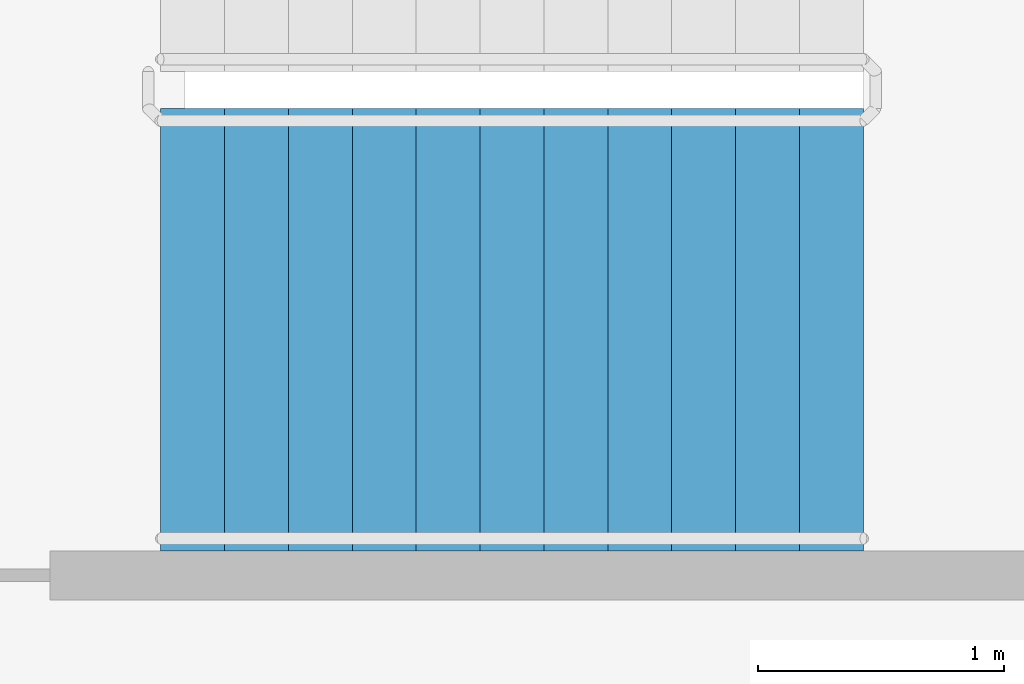
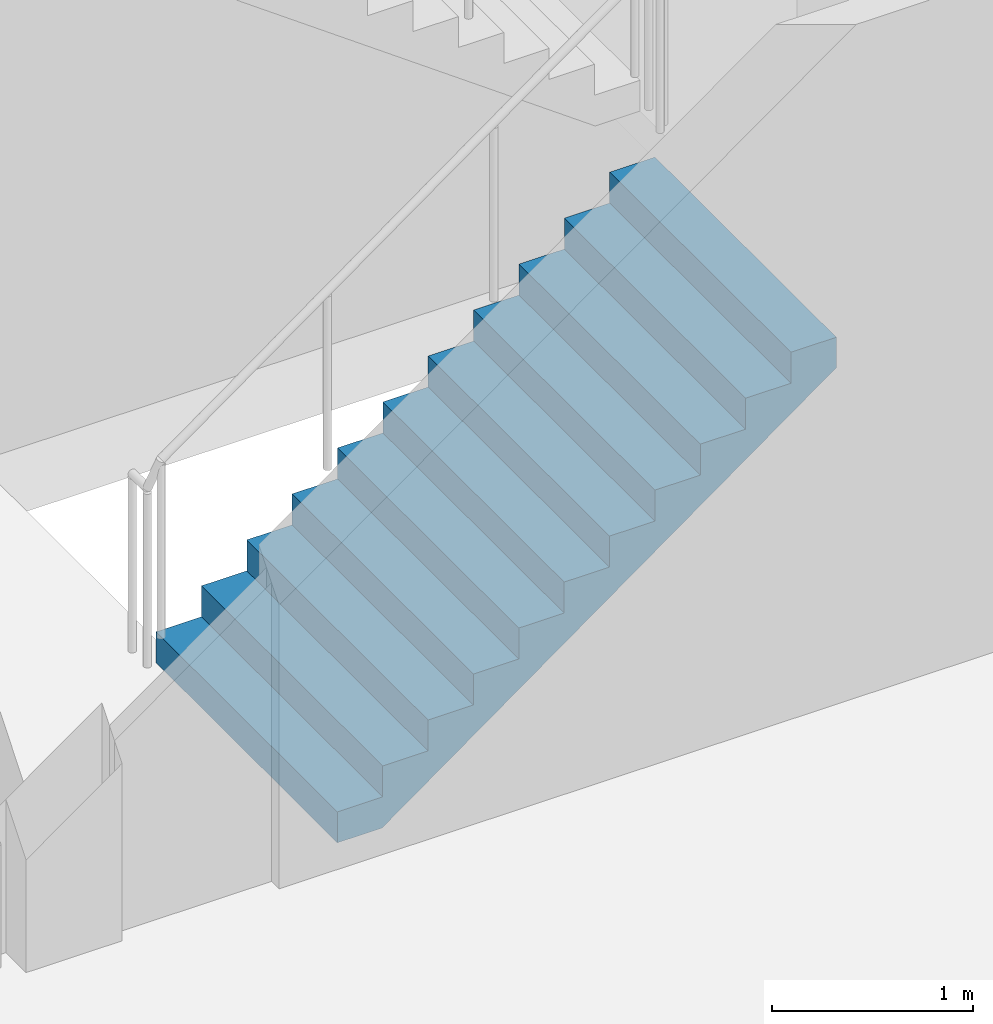
# One storey, part 26 of 49: 1 stair flight, 1 element without a shape of its own.
"""IFC4 building model written with IfcOpenShell, lengths in metres."""

import ifcopenshell
import ifcopenshell.guid

model = None  # the IFC model being written
_history = None  # IfcOwnerHistory: only IFC2X3 demands one
_inside = {}  # id of a spatial element -> (the spatial element, [elements in it])
_under = {}  # id of a project, library or spatial element -> (it, [spatial elements below it])
_declared = {}  # id of a project -> (the project, [libraries it declares])
_typed = {}  # id of a type object -> (the type object, [elements of that type])
_made_of = {}  # id of a material, layer set ... -> (it, [elements and type objects made of it])


def new_model(schema):
    """Start an empty IFC model of exactly this schema.

    Asked for "IFC4X3", IfcOpenShell would pick the latest addendum, in which some entities
    have other attributes; the version numbers below select the first issue.
    IFC2X3 requires an IfcOwnerHistory on every rooted entity: one is made here for all.
    """
    global model, _history
    if schema == "IFC4X3":
        model = ifcopenshell.file(schema_version=(4, 3, 0, 0))
    else:
        model = ifcopenshell.file(schema=schema)
    _inside.clear()
    _under.clear()
    _declared.clear()
    _typed.clear()
    _made_of.clear()
    _history = None
    if model.schema == "IFC2X3":
        org = make("IfcOrganization", Name="unknown")
        user = make(
            "IfcPersonAndOrganization",
            ThePerson=make("IfcPerson", FamilyName="unknown"),
            TheOrganization=org,
        )
        app = make(
            "IfcApplication",
            ApplicationDeveloper=org,
            Version="unknown",
            ApplicationFullName="unknown",
            ApplicationIdentifier="unknown",
        )
        _history = make(
            "IfcOwnerHistory",
            OwningUser=user,
            OwningApplication=app,
            ChangeAction="ADDED",
            CreationDate=0,
        )
    return model


def make(cls, **values):
    """One entity of the class cls with the attributes given. An attribute that is None is left unset."""
    return model.create_entity(
        cls, **{name: value for name, value in values.items() if value is not None}
    )


def rooted(cls, **values):
    """An entity with a GlobalId (a new one), such as an element, a storey or a relation."""
    return make(cls, GlobalId=ifcopenshell.guid.new(), OwnerHistory=_history, **values)


def si_unit(unit_type, name, prefix=None):
    """IfcSIUnit, for example si_unit("LENGTHUNIT", "METRE", prefix="MILLI")."""
    return make("IfcSIUnit", UnitType=unit_type, Prefix=prefix, Name=name)


def assignment(units):
    """IfcUnitAssignment: the units of a project."""
    return None if units is None else make("IfcUnitAssignment", Units=units)


def point(xyz):
    """IfcCartesianPoint."""
    return None if xyz is None else make("IfcCartesianPoint", Coordinates=xyz)


def direction(xyz):
    """IfcDirection."""
    return None if xyz is None else make("IfcDirection", DirectionRatios=xyz)


def frame(location, z_axis=None, x_axis=None):
    """IfcAxis2Placement3D, a coordinate frame: its origin and axes. An axis left out is left unset."""
    return make(
        "IfcAxis2Placement3D",
        Location=point(location),
        Axis=direction(z_axis),
        RefDirection=direction(x_axis),
    )


def origin():
    """The frame at (0, 0, 0) with its axes left unset."""
    return frame((0.0, 0.0, 0.0))


def place(relative_to, where):
    """IfcLocalPlacement: puts the frame where relative to a parent placement (None: the world)."""
    return make(
        "IfcLocalPlacement", PlacementRelTo=relative_to, RelativePlacement=where
    )


def context(
    kind, dimensions, precision=None, world=None, true_north=None, identifier=None
):
    """IfcGeometricRepresentationContext, for example the 3D "Model" context."""
    return make(
        "IfcGeometricRepresentationContext",
        ContextIdentifier=identifier,
        ContextType=kind,
        CoordinateSpaceDimension=dimensions,
        Precision=precision,
        WorldCoordinateSystem=world,
        TrueNorth=true_north,
    )


def subcontext(parent, identifier, kind, view, scale=None):
    """IfcGeometricRepresentationSubContext, for example "Body" below "Model"."""
    return make(
        "IfcGeometricRepresentationSubContext",
        ContextIdentifier=identifier,
        ContextType=kind,
        ParentContext=parent,
        TargetScale=scale,
        TargetView=view,
    )


def project(units=None, contexts=None):
    """IfcProject with its units and contexts."""
    return rooted(
        "IfcProject",
        Name="project",
        RepresentationContexts=contexts,
        UnitsInContext=assignment(units),
    )


def spatial(cls, under=None, at=None, **own):
    """A site, building, storey or space (cls), placed at a placement, below another one or the project."""
    s = rooted(cls, ObjectPlacement=at, **own)
    if under is not None:
        _under.setdefault(under.id(), (under, []))[1].append(s)
    return s


def faces_of(points, faces, orient=None, outer=None):
    """IfcFace entities. A face is a list of loops; a loop is a list of indices into points, from 0.

    orient and outer hold one flag for each loop. By default every Orientation is true, the
    first loop of a face is its IfcFaceOuterBound and the others are IfcFaceBound.
    """
    made = []
    for i, loops in enumerate(faces):
        bounds = []
        for j, loop in enumerate(loops):
            is_outer = j == 0 if outer is None else outer[i][j]
            bounds.append(
                make(
                    "IfcFaceOuterBound" if is_outer else "IfcFaceBound",
                    Bound=make("IfcPolyLoop", Polygon=[points[k] for k in loop]),
                    Orientation=True if orient is None else orient[i][j],
                )
            )
        made.append(make("IfcFace", Bounds=bounds))
    return made


def faceted_brep(points, faces, orient=None, outer=None, voids=None):
    """IfcFacetedBrep: a solid bounded by flat faces; with voids (closed shells), ...WithVoids."""
    shared = [point(p) for p in points]
    hull = make("IfcClosedShell", CfsFaces=faces_of(shared, faces, orient, outer))
    if voids is None:
        return make("IfcFacetedBrep", Outer=hull)
    return make(
        "IfcFacetedBrepWithVoids",
        Outer=hull,
        Voids=[
            make(cls, CfsFaces=faces_of(shared, fs, o, b)) for cls, fs, o, b in voids
        ],
    )


def shape(context_of_items, identifier, shape_type, items):
    """IfcShapeRepresentation: the items that make up one representation, for example the "Body"."""
    return make(
        "IfcShapeRepresentation",
        ContextOfItems=context_of_items,
        RepresentationIdentifier=identifier,
        RepresentationType=shape_type,
        Items=items,
    )


def material(Name=None, Category=None):
    """IfcMaterial."""
    return make("IfcMaterial", Name=Name, Category=Category)


def made_of(thing, what):
    """Note that an element or type object is made of a material, layer set ...; save() writes the relation."""
    if what is not None:
        _made_of.setdefault(what.id(), (what, []))[1].append(thing)
    return thing


def type_object(cls, material=None, **own):
    """A type object (cls), such as IfcWallType, which elements share."""
    return made_of(rooted(cls, **own), material)


def element(
    cls,
    number,
    at=None,
    inside=None,
    cuts=None,
    type_object=None,
    material=None,
    context=None,
    identifier="Body",
    shape_type=None,
    held_by="IfcProductDefinitionShape",
    body=None,
    shapes=None,
    **own,
):
    """One element of the class cls, such as IfcWall. Its Tag is "e" and its number.

    at: its placement. inside: the storey or other place that contains it. cuts: it is an
    opening in that element (IfcRelVoidsElement). A single representation is given by context,
    identifier, shape_type and body (its items); several are given by shapes. held_by: the class
    of the entity that holds the representations. save() writes the other relations.
    """
    e = rooted(cls, Tag="e%d" % number, ObjectPlacement=at, **own)
    if body is not None:
        shapes = [shape(context, identifier, shape_type, body)]
    if shapes is not None:
        e.Representation = make(held_by, Representations=shapes)
    if inside is not None:
        _inside.setdefault(inside.id(), (inside, []))[1].append(e)
    if cuts is not None:
        rooted(
            "IfcRelVoidsElement", RelatingBuildingElement=cuts, RelatedOpeningElement=e
        )
    if type_object is not None:
        _typed.setdefault(type_object.id(), (type_object, []))[1].append(e)
    return made_of(e, material)


def aggregate(whole, parts):
    """IfcRelAggregates: a whole, such as a stair, and the parts it consists of."""
    return rooted("IfcRelAggregates", RelatingObject=whole, RelatedObjects=parts)


def save(model, path):
    """Write the relations noted so far, then the file.

    IfcRelAggregates (storeys below a building ...), IfcRelContainedInSpatialStructure (elements
    in a storey), IfcRelDefinesByType, IfcRelAssociatesMaterial and IfcRelDeclares: one each for
    every whole, place, type object, material and project.
    """
    for whole, parts in _under.values():
        aggregate(whole, parts)
    for where, things in _inside.values():
        rooted(
            "IfcRelContainedInSpatialStructure",
            RelatedElements=things,
            RelatingStructure=where,
        )
    for kind, things in _typed.values():
        rooted("IfcRelDefinesByType", RelatedObjects=things, RelatingType=kind)
    for what, things in _made_of.values():
        rooted("IfcRelAssociatesMaterial", RelatedObjects=things, RelatingMaterial=what)
    for by, libraries in _declared.values():
        rooted("IfcRelDeclares", RelatingContext=by, RelatedDefinitions=libraries)
    model.write(path)


model = new_model("IFC4")

# Units and contexts
model_context = context("Model", 3, precision=1e-05, world=origin(), true_north=direction((0.0, 1.0)))
body_context = subcontext(model_context, "Body", "Model", "MODEL_VIEW")
ifc_project = project(units=[si_unit("LENGTHUNIT", "METRE"), si_unit("AREAUNIT", "SQUARE_METRE"), si_unit("VOLUMEUNIT", "CUBIC_METRE"), si_unit("PLANEANGLEUNIT", "RADIAN"), si_unit("MASSUNIT", "GRAM", prefix="KILO")], contexts=[model_context])

# Site, building, storey
site_placement = place(None, origin())
site = spatial("IfcSite", under=ifc_project, at=site_placement, CompositionType="ELEMENT")
building_placement = place(site_placement, origin())
building = spatial("IfcBuilding", under=site, at=building_placement, Name="Ipe Terrace Towers", CompositionType="ELEMENT")
storey_placement = place(building_placement, frame((0.0, 0.0, 11.0)))
storey = spatial("IfcBuildingStorey", under=building, at=storey_placement, Name="L02", CompositionType="ELEMENT", Elevation=11.0)

# Stair, stair flight
ifc_material_1 = material(Name="Concrete C30/37", Category="concrete")
stair_type = type_object("IfcStairType", Name="Protected exit stair", PredefinedType="HALF_TURN_STAIR", material=ifc_material_1)
stair_placement = place(storey_placement, origin())
stair = element("IfcStair", 1, at=stair_placement, inside=storey, type_object=stair_type, Name="L02 Podium exit stair PS4", PredefinedType="HALF_TURN_STAIR")
ifc_material_2 = material(Name="Concrete C30/37", Category="concrete")
stair_flight_type = type_object("IfcStairFlightType", Name="Exit stair flight 1800", PredefinedType="STRAIGHT", material=ifc_material_2)
stair_flight_placement = place(storey_placement, frame((-57.27001953125, -22.5, 0.0), z_axis=(0.0, 0.0, 1.0), x_axis=(1.0, 0.0, 0.0)))
stair_flight = element("IfcStairFlight", 2, at=stair_flight_placement, type_object=stair_flight_type, Name="PS4 flight 1", NumberOfRisers=12, NumberOfTreads=11, PredefinedType="STRAIGHT", RiserHeight=0.1875, TreadLength=0.26, context=body_context, shape_type="Brep", body=[
    faceted_brep([(0.25634765625, -0.89990234375, 0.0), (2.860107421875, -0.89990234375, 1.877685546875), (2.860107421875, -0.89990234375, 2.0625), (2.60009765625, -0.89990234375, 2.0625), (2.60009765625, -0.89990234375, 1.875), (2.340087890625, -0.89990234375, 1.875), (2.340087890625, -0.89990234375, 1.6875), (2.080078125, -0.89990234375, 1.6875), (2.080078125, -0.89990234375, 1.5), (1.820068359375, -0.89990234375, 1.5), (1.820068359375, -0.89990234375, 1.3125), (1.56005859375, -0.89990234375, 1.3125), (1.56005859375, -0.89990234375, 1.125), (1.300048828125, -0.89990234375, 1.125), (1.300048828125, -0.89990234375, 0.9375), (1.0400390625, -0.89990234375, 0.9375), (1.0400390625, -0.89990234375, 0.75), (0.780029296875, -0.89990234375, 0.75), (0.780029296875, -0.89990234375, 0.5625), (0.52001953125, -0.89990234375, 0.5625), (0.52001953125, -0.89990234375, 0.375), (0.260009765625, -0.89990234375, 0.375), (0.260009765625, -0.89990234375, 0.1875), (0.0, -0.89990234375, 0.1875), (0.0, -0.89990234375, 0.0), (0.0, 0.89990234375, 0.0), (0.0, 0.89990234375, 0.1875), (0.260009765625, 0.89990234375, 0.1875), (0.260009765625, 0.89990234375, 0.375), (0.52001953125, 0.89990234375, 0.375), (0.52001953125, 0.89990234375, 0.5625), (0.780029296875, 0.89990234375, 0.5625), (0.780029296875, 0.89990234375, 0.75), (1.0400390625, 0.89990234375, 0.75), (1.0400390625, 0.89990234375, 0.9375), (1.300048828125, 0.89990234375, 0.9375), (1.300048828125, 0.89990234375, 1.125), (1.56005859375, 0.89990234375, 1.125), (1.56005859375, 0.89990234375, 1.3125), (1.820068359375, 0.89990234375, 1.3125), (1.820068359375, 0.89990234375, 1.5), (2.080078125, 0.89990234375, 1.5), (2.080078125, 0.89990234375, 1.6875), (2.340087890625, 0.89990234375, 1.6875), (2.340087890625, 0.89990234375, 1.875), (2.60009765625, 0.89990234375, 1.875), (2.60009765625, 0.89990234375, 2.0625), (2.860107421875, 0.89990234375, 2.0625), (2.860107421875, 0.89990234375, 1.877685546875), (0.25634765625, 0.89990234375, 0.0), (0.0, -0.300048828125, 0.1875), (0.0, -0.1201171875, 0.1875), (0.0, -0.06005859375, 0.1875), (0.0, -0.030029296875, 0.1875), (0.0, -0.010009765625, 0.1875), (0.0, 0.0, 0.1875), (0.0, 0.010009765625, 0.1875), (0.0, 0.030029296875, 0.1875), (0.0, 0.06005859375, 0.1875), (0.0, 0.1201171875, 0.1875), (0.0, 0.300048828125, 0.1875), (0.0, 0.300048828125, 0.0), (0.0, 0.1201171875, 0.0), (0.0, 0.06005859375, 0.0), (0.0, 0.030029296875, 0.0), (0.0, 0.010009765625, 0.0), (0.0, 0.0, 0.0), (0.0, -0.010009765625, 0.0), (0.0, -0.030029296875, 0.0), (0.0, -0.06005859375, 0.0), (0.0, -0.1201171875, 0.0), (0.0, -0.300048828125, 0.0), (0.260009765625, -0.300048828125, 0.1875), (0.260009765625, -0.1201171875, 0.1875), (0.260009765625, -0.06005859375, 0.1875), (0.260009765625, -0.030029296875, 0.1875), (0.260009765625, -0.010009765625, 0.1875), (0.260009765625, 0.0, 0.1875), (0.260009765625, 0.010009765625, 0.1875), (0.260009765625, 0.030029296875, 0.1875), (0.260009765625, 0.06005859375, 0.1875), (0.260009765625, 0.1201171875, 0.1875), (0.260009765625, 0.300048828125, 0.1875), (0.260009765625, -0.300048828125, 0.375), (0.260009765625, -0.1201171875, 0.375), (0.260009765625, -0.06005859375, 0.375), (0.260009765625, -0.030029296875, 0.375), (0.260009765625, -0.010009765625, 0.375), (0.260009765625, 0.0, 0.375), (0.260009765625, 0.010009765625, 0.375), (0.260009765625, 0.030029296875, 0.375), (0.260009765625, 0.06005859375, 0.375), (0.260009765625, 0.1201171875, 0.375), (0.260009765625, 0.300048828125, 0.375), (0.52001953125, -0.300048828125, 0.375), (0.52001953125, -0.1201171875, 0.375), (0.52001953125, -0.06005859375, 0.375), (0.52001953125, -0.030029296875, 0.375), (0.52001953125, -0.010009765625, 0.375), (0.52001953125, 0.0, 0.375), (0.52001953125, 0.010009765625, 0.375), (0.52001953125, 0.030029296875, 0.375), (0.52001953125, 0.06005859375, 0.375), (0.52001953125, 0.1201171875, 0.375), (0.52001953125, 0.300048828125, 0.375), (0.52001953125, -0.300048828125, 0.5625), (0.52001953125, -0.1201171875, 0.5625), (0.52001953125, -0.06005859375, 0.5625), (0.52001953125, -0.030029296875, 0.5625), (0.52001953125, -0.010009765625, 0.5625), (0.52001953125, 0.0, 0.5625), (0.52001953125, 0.010009765625, 0.5625), (0.52001953125, 0.030029296875, 0.5625), (0.52001953125, 0.06005859375, 0.5625), (0.52001953125, 0.1201171875, 0.5625), (0.52001953125, 0.300048828125, 0.5625), (0.780029296875, -0.300048828125, 0.5625), (0.780029296875, -0.1201171875, 0.5625), (0.780029296875, -0.06005859375, 0.5625), (0.780029296875, -0.030029296875, 0.5625), (0.780029296875, -0.010009765625, 0.5625), (0.780029296875, 0.0, 0.5625), (0.780029296875, 0.010009765625, 0.5625), (0.780029296875, 0.030029296875, 0.5625), (0.780029296875, 0.06005859375, 0.5625), (0.780029296875, 0.1201171875, 0.5625), (0.780029296875, 0.300048828125, 0.5625), (0.780029296875, -0.300048828125, 0.75), (0.780029296875, -0.1201171875, 0.75), (0.780029296875, -0.06005859375, 0.75), (0.780029296875, -0.030029296875, 0.75), (0.780029296875, -0.010009765625, 0.75), (0.780029296875, 0.0, 0.75), (0.780029296875, 0.010009765625, 0.75), (0.780029296875, 0.030029296875, 0.75), (0.780029296875, 0.06005859375, 0.75), (0.780029296875, 0.1201171875, 0.75), (0.780029296875, 0.300048828125, 0.75), (1.0400390625, -0.300048828125, 0.75), (1.0400390625, -0.1201171875, 0.75), (1.0400390625, -0.06005859375, 0.75), (1.0400390625, -0.030029296875, 0.75), (1.0400390625, -0.010009765625, 0.75), (1.0400390625, 0.0, 0.75), (1.0400390625, 0.010009765625, 0.75), (1.0400390625, 0.030029296875, 0.75), (1.0400390625, 0.06005859375, 0.75), (1.0400390625, 0.1201171875, 0.75), (1.0400390625, 0.300048828125, 0.75), (1.0400390625, -0.300048828125, 0.9375), (1.0400390625, -0.1201171875, 0.9375), (1.0400390625, -0.06005859375, 0.9375), (1.0400390625, -0.030029296875, 0.9375), (1.0400390625, -0.010009765625, 0.9375), (1.0400390625, 0.0, 0.9375), (1.0400390625, 0.010009765625, 0.9375), (1.0400390625, 0.030029296875, 0.9375), (1.0400390625, 0.06005859375, 0.9375), (1.0400390625, 0.1201171875, 0.9375), (1.0400390625, 0.300048828125, 0.9375), (1.300048828125, -0.300048828125, 0.9375), (1.300048828125, -0.1201171875, 0.9375), (1.300048828125, -0.06005859375, 0.9375), (1.300048828125, -0.030029296875, 0.9375), (1.300048828125, -0.010009765625, 0.9375), (1.300048828125, 0.0, 0.9375), (1.300048828125, 0.010009765625, 0.9375), (1.300048828125, 0.030029296875, 0.9375), (1.300048828125, 0.06005859375, 0.9375), (1.300048828125, 0.1201171875, 0.9375), (1.300048828125, 0.300048828125, 0.9375), (1.300048828125, -0.300048828125, 1.125), (1.300048828125, -0.1201171875, 1.125), (1.300048828125, -0.06005859375, 1.125), (1.300048828125, -0.030029296875, 1.125), (1.300048828125, -0.010009765625, 1.125), (1.300048828125, 0.0, 1.125), (1.300048828125, 0.010009765625, 1.125), (1.300048828125, 0.030029296875, 1.125), (1.300048828125, 0.06005859375, 1.125), (1.300048828125, 0.1201171875, 1.125), (1.300048828125, 0.300048828125, 1.125), (1.56005859375, -0.300048828125, 1.125), (1.56005859375, -0.1201171875, 1.125), (1.56005859375, -0.06005859375, 1.125), (1.56005859375, -0.030029296875, 1.125), (1.56005859375, -0.010009765625, 1.125), (1.56005859375, 0.0, 1.125), (1.56005859375, 0.010009765625, 1.125), (1.56005859375, 0.030029296875, 1.125), (1.56005859375, 0.06005859375, 1.125), (1.56005859375, 0.1201171875, 1.125), (1.56005859375, 0.300048828125, 1.125), (1.56005859375, -0.300048828125, 1.3125), (1.56005859375, -0.1201171875, 1.3125), (1.56005859375, -0.06005859375, 1.3125), (1.56005859375, -0.030029296875, 1.3125), (1.56005859375, -0.010009765625, 1.3125), (1.56005859375, 0.0, 1.3125), (1.56005859375, 0.010009765625, 1.3125), (1.56005859375, 0.030029296875, 1.3125), (1.56005859375, 0.06005859375, 1.3125), (1.56005859375, 0.1201171875, 1.3125), (1.56005859375, 0.300048828125, 1.3125), (1.820068359375, -0.300048828125, 1.3125), (1.820068359375, -0.1201171875, 1.3125), (1.820068359375, -0.06005859375, 1.3125), (1.820068359375, -0.030029296875, 1.3125), (1.820068359375, -0.010009765625, 1.3125), (1.820068359375, 0.0, 1.3125), (1.820068359375, 0.010009765625, 1.3125), (1.820068359375, 0.030029296875, 1.3125), (1.820068359375, 0.06005859375, 1.3125), (1.820068359375, 0.1201171875, 1.3125), (1.820068359375, 0.300048828125, 1.3125), (1.820068359375, -0.300048828125, 1.5), (1.820068359375, -0.1201171875, 1.5), (1.820068359375, -0.06005859375, 1.5), (1.820068359375, -0.030029296875, 1.5), (1.820068359375, -0.010009765625, 1.5), (1.820068359375, 0.0, 1.5), (1.820068359375, 0.010009765625, 1.5), (1.820068359375, 0.030029296875, 1.5), (1.820068359375, 0.06005859375, 1.5), (1.820068359375, 0.1201171875, 1.5), (1.820068359375, 0.300048828125, 1.5), (2.080078125, -0.300048828125, 1.5), (2.080078125, -0.1201171875, 1.5), (2.080078125, -0.06005859375, 1.5), (2.080078125, -0.030029296875, 1.5), (2.080078125, -0.010009765625, 1.5), (2.080078125, 0.0, 1.5), (2.080078125, 0.010009765625, 1.5), (2.080078125, 0.030029296875, 1.5), (2.080078125, 0.06005859375, 1.5), (2.080078125, 0.1201171875, 1.5), (2.080078125, 0.300048828125, 1.5), (2.080078125, -0.300048828125, 1.6875), (2.080078125, -0.1201171875, 1.6875), (2.080078125, -0.06005859375, 1.6875), (2.080078125, -0.030029296875, 1.6875), (2.080078125, -0.010009765625, 1.6875), (2.080078125, 0.0, 1.6875), (2.080078125, 0.010009765625, 1.6875), (2.080078125, 0.030029296875, 1.6875), (2.080078125, 0.06005859375, 1.6875), (2.080078125, 0.1201171875, 1.6875), (2.080078125, 0.300048828125, 1.6875), (2.340087890625, -0.300048828125, 1.6875), (2.340087890625, -0.1201171875, 1.6875), (2.340087890625, -0.06005859375, 1.6875), (2.340087890625, -0.030029296875, 1.6875), (2.340087890625, -0.010009765625, 1.6875), (2.340087890625, 0.0, 1.6875), (2.340087890625, 0.010009765625, 1.6875), (2.340087890625, 0.030029296875, 1.6875), (2.340087890625, 0.06005859375, 1.6875), (2.340087890625, 0.1201171875, 1.6875), (2.340087890625, 0.300048828125, 1.6875), (2.340087890625, -0.300048828125, 1.875), (2.340087890625, -0.1201171875, 1.875), (2.340087890625, -0.06005859375, 1.875), (2.340087890625, -0.030029296875, 1.875), (2.340087890625, -0.010009765625, 1.875), (2.340087890625, 0.0, 1.875), (2.340087890625, 0.010009765625, 1.875), (2.340087890625, 0.030029296875, 1.875), (2.340087890625, 0.06005859375, 1.875), (2.340087890625, 0.1201171875, 1.875), (2.340087890625, 0.300048828125, 1.875), (2.60009765625, -0.300048828125, 1.875), (2.60009765625, -0.1201171875, 1.875), (2.60009765625, -0.06005859375, 1.875), (2.60009765625, -0.030029296875, 1.875), (2.60009765625, -0.010009765625, 1.875), (2.60009765625, 0.0, 1.875), (2.60009765625, 0.010009765625, 1.875), (2.60009765625, 0.030029296875, 1.875), (2.60009765625, 0.06005859375, 1.875), (2.60009765625, 0.1201171875, 1.875), (2.60009765625, 0.300048828125, 1.875), (2.60009765625, -0.300048828125, 2.0625), (2.60009765625, -0.1201171875, 2.0625), (2.60009765625, -0.06005859375, 2.0625), (2.60009765625, -0.030029296875, 2.0625), (2.60009765625, -0.010009765625, 2.0625), (2.60009765625, 0.0, 2.0625), (2.60009765625, 0.010009765625, 2.0625), (2.60009765625, 0.030029296875, 2.0625), (2.60009765625, 0.06005859375, 2.0625), (2.60009765625, 0.1201171875, 2.0625), (2.60009765625, 0.300048828125, 2.0625), (2.860107421875, -0.300048828125, 2.0625), (2.860107421875, -0.1201171875, 2.0625), (2.860107421875, -0.06005859375, 2.0625), (2.860107421875, -0.030029296875, 2.0625), (2.860107421875, -0.010009765625, 2.0625), (2.860107421875, 0.0, 2.0625), (2.860107421875, 0.010009765625, 2.0625), (2.860107421875, 0.030029296875, 2.0625), (2.860107421875, 0.06005859375, 2.0625), (2.860107421875, 0.1201171875, 2.0625), (2.860107421875, 0.300048828125, 2.0625), (2.860107421875, -0.300048828125, 1.877685546875), (2.860107421875, -0.1201171875, 1.877685546875), (2.860107421875, -0.06005859375, 1.877685546875), (2.860107421875, -0.030029296875, 1.877685546875), (2.860107421875, -0.010009765625, 1.877685546875), (2.860107421875, 0.0, 1.877685546875), (2.860107421875, 0.010009765625, 1.877685546875), (2.860107421875, 0.030029296875, 1.877685546875), (2.860107421875, 0.06005859375, 1.877685546875), (2.860107421875, 0.1201171875, 1.877685546875), (2.860107421875, 0.300048828125, 1.877685546875), (0.25634765625, -0.300048828125, 0.0), (0.25634765625, -0.1201171875, 0.0), (0.25634765625, -0.06005859375, 0.0), (0.25634765625, -0.030029296875, 0.0), (0.25634765625, -0.010009765625, 0.0), (0.25634765625, 0.0, 0.0), (0.25634765625, 0.010009765625, 0.0), (0.25634765625, 0.030029296875, 0.0), (0.25634765625, 0.06005859375, 0.0), (0.25634765625, 0.1201171875, 0.0), (0.25634765625, 0.300048828125, 0.0)], [[[0, 1, 2, 3, 4, 5, 6, 7, 8, 9, 10, 11, 12, 13, 14, 15, 16, 17, 18, 19, 20, 21, 22, 23, 24]], [[25, 26, 27, 28, 29, 30, 31, 32, 33, 34, 35, 36, 37, 38, 39, 40, 41, 42, 43, 44, 45, 46, 47, 48, 49]], [[23, 50, 51, 52, 53, 54, 55, 56, 57, 58, 59, 60, 26, 25, 61, 62, 63, 64, 65, 66, 67, 68, 69, 70, 71, 24]], [[22, 72, 73, 74, 75, 76, 77, 78, 79, 80, 81, 82, 27, 26, 60, 59, 58, 57, 56, 55, 54, 53, 52, 51, 50, 23]], [[21, 83, 84, 85, 86, 87, 88, 89, 90, 91, 92, 93, 28, 27, 82, 81, 80, 79, 78, 77, 76, 75, 74, 73, 72, 22]], [[20, 94, 95, 96, 97, 98, 99, 100, 101, 102, 103, 104, 29, 28, 93, 92, 91, 90, 89, 88, 87, 86, 85, 84, 83, 21]], [[19, 105, 106, 107, 108, 109, 110, 111, 112, 113, 114, 115, 30, 29, 104, 103, 102, 101, 100, 99, 98, 97, 96, 95, 94, 20]], [[18, 116, 117, 118, 119, 120, 121, 122, 123, 124, 125, 126, 31, 30, 115, 114, 113, 112, 111, 110, 109, 108, 107, 106, 105, 19]], [[17, 127, 128, 129, 130, 131, 132, 133, 134, 135, 136, 137, 32, 31, 126, 125, 124, 123, 122, 121, 120, 119, 118, 117, 116, 18]], [[16, 138, 139, 140, 141, 142, 143, 144, 145, 146, 147, 148, 33, 32, 137, 136, 135, 134, 133, 132, 131, 130, 129, 128, 127, 17]], [[15, 149, 150, 151, 152, 153, 154, 155, 156, 157, 158, 159, 34, 33, 148, 147, 146, 145, 144, 143, 142, 141, 140, 139, 138, 16]], [[14, 160, 161, 162, 163, 164, 165, 166, 167, 168, 169, 170, 35, 34, 159, 158, 157, 156, 155, 154, 153, 152, 151, 150, 149, 15]], [[13, 171, 172, 173, 174, 175, 176, 177, 178, 179, 180, 181, 36, 35, 170, 169, 168, 167, 166, 165, 164, 163, 162, 161, 160, 14]], [[12, 182, 183, 184, 185, 186, 187, 188, 189, 190, 191, 192, 37, 36, 181, 180, 179, 178, 177, 176, 175, 174, 173, 172, 171, 13]], [[11, 193, 194, 195, 196, 197, 198, 199, 200, 201, 202, 203, 38, 37, 192, 191, 190, 189, 188, 187, 186, 185, 184, 183, 182, 12]], [[10, 204, 205, 206, 207, 208, 209, 210, 211, 212, 213, 214, 39, 38, 203, 202, 201, 200, 199, 198, 197, 196, 195, 194, 193, 11]], [[9, 215, 216, 217, 218, 219, 220, 221, 222, 223, 224, 225, 40, 39, 214, 213, 212, 211, 210, 209, 208, 207, 206, 205, 204, 10]], [[8, 226, 227, 228, 229, 230, 231, 232, 233, 234, 235, 236, 41, 40, 225, 224, 223, 222, 221, 220, 219, 218, 217, 216, 215, 9]], [[7, 237, 238, 239, 240, 241, 242, 243, 244, 245, 246, 247, 42, 41, 236, 235, 234, 233, 232, 231, 230, 229, 228, 227, 226, 8]], [[6, 248, 249, 250, 251, 252, 253, 254, 255, 256, 257, 258, 43, 42, 247, 246, 245, 244, 243, 242, 241, 240, 239, 238, 237, 7]], [[5, 259, 260, 261, 262, 263, 264, 265, 266, 267, 268, 269, 44, 43, 258, 257, 256, 255, 254, 253, 252, 251, 250, 249, 248, 6]], [[4, 270, 271, 272, 273, 274, 275, 276, 277, 278, 279, 280, 45, 44, 269, 268, 267, 266, 265, 264, 263, 262, 261, 260, 259, 5]], [[3, 281, 282, 283, 284, 285, 286, 287, 288, 289, 290, 291, 46, 45, 280, 279, 278, 277, 276, 275, 274, 273, 272, 271, 270, 4]], [[2, 292, 293, 294, 295, 296, 297, 298, 299, 300, 301, 302, 47, 46, 291, 290, 289, 288, 287, 286, 285, 284, 283, 282, 281, 3]], [[1, 303, 304, 305, 306, 307, 308, 309, 310, 311, 312, 313, 48, 47, 302, 301, 300, 299, 298, 297, 296, 295, 294, 293, 292, 2]], [[0, 314, 315, 316, 317, 318, 319, 320, 321, 322, 323, 324, 49, 48, 313, 312, 311, 310, 309, 308, 307, 306, 305, 304, 303, 1]], [[24, 71, 70, 69, 68, 67, 66, 65, 64, 63, 62, 61, 25, 49, 324, 323, 322, 321, 320, 319, 318, 317, 316, 315, 314, 0]]]),
])
aggregate(stair, [stair_flight])

save(model, "model.ifc")
